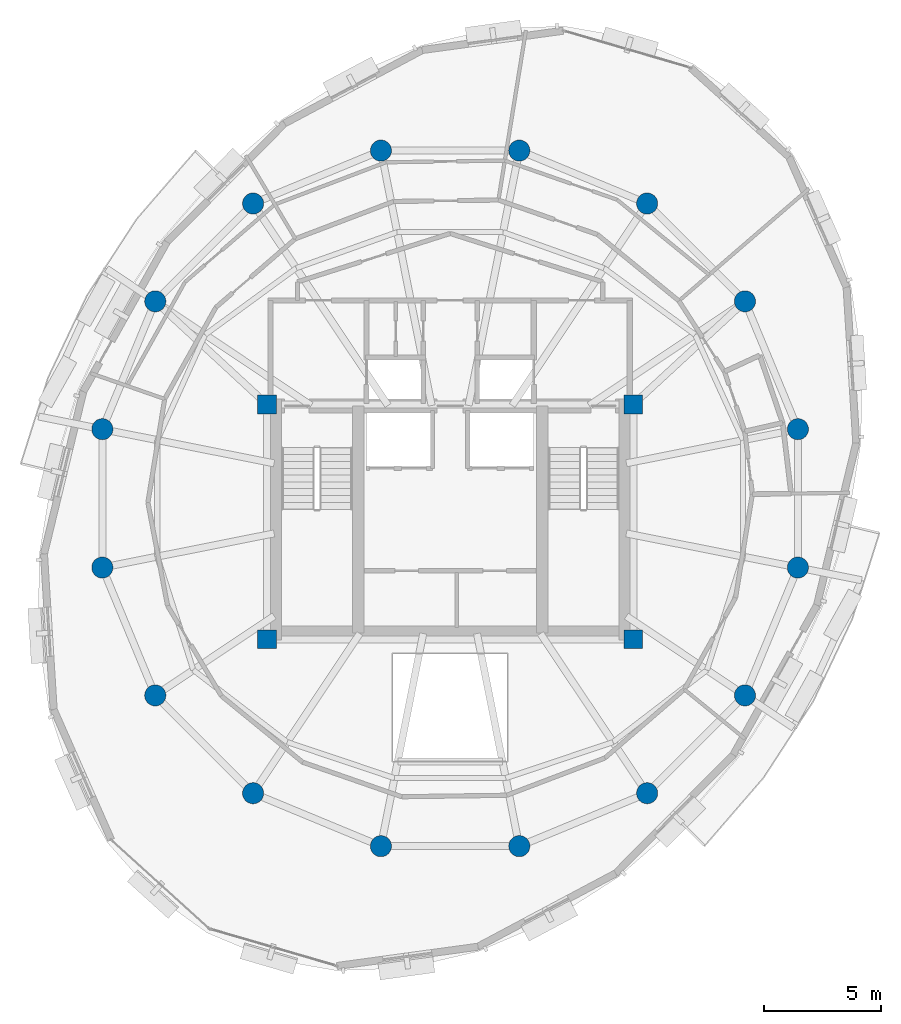
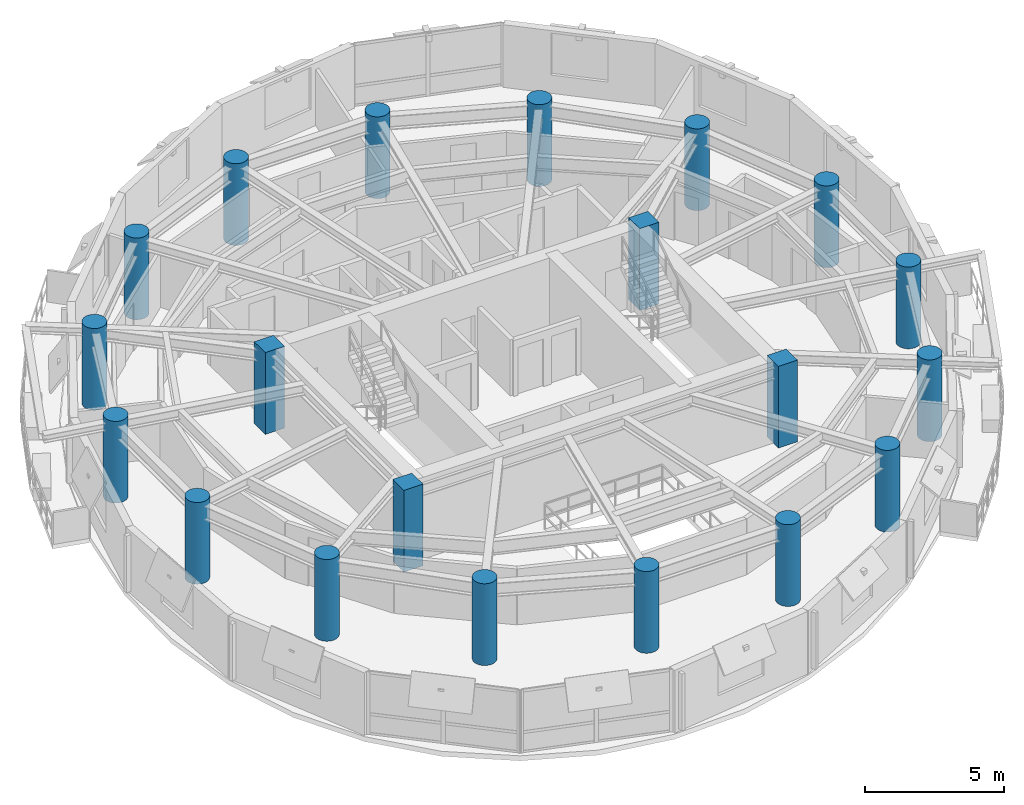
# One storey, part 1 of 11: 20 columns.
"""IFC4 building model written with IfcOpenShell, lengths in metres."""

from ifc_helpers import new_model, si_unit, direction, frame, origin, origin_2d, place, context, subcontext, project, spatial, rectangle, circle, extrude, material, material_profile, profile_set, type_object, element, save


model = new_model("IFC4")

# Units and contexts
model_context = context("Model", 3, precision=1e-05, world=origin(), true_north=direction((0.0, 1.0)))
body_context = subcontext(model_context, "Body", "Model", "MODEL_VIEW")
ifc_project = project(units=[si_unit("LENGTHUNIT", "METRE"), si_unit("AREAUNIT", "SQUARE_METRE"), si_unit("VOLUMEUNIT", "CUBIC_METRE"), si_unit("PLANEANGLEUNIT", "RADIAN"), si_unit("MASSUNIT", "GRAM", prefix="KILO"), si_unit("THERMODYNAMICTEMPERATUREUNIT", "KELVIN"), si_unit("POWERUNIT", "WATT")], contexts=[model_context])

# Site, building, storey
site_placement = place(None, origin())
site = spatial("IfcSite", under=ifc_project, at=site_placement, CompositionType="ELEMENT")
building_placement = place(site_placement, origin())
building = spatial("IfcBuilding", under=site, at=building_placement, Name="Ocrelia Relay Tower", CompositionType="ELEMENT")
storey_placement = place(building_placement, frame((0.0, 0.0, 280.800048828125)))
storey = spatial("IfcBuildingStorey", under=building, at=storey_placement, Name="L70", CompositionType="ELEMENT", Elevation=280.800048828125)

# Columns
ifc_material_1 = material(Name="Concrete C50/60", Category="concrete")
ifc_material_profile_1 = material_profile(ifc_material_1, circle(Radius=0.449951171875, at=origin_2d()), Name="RC-CIR-900")
ifc_profile_set_1 = profile_set([ifc_material_profile_1], Name="Concrete C50/60")
column_type_1 = type_object("IfcColumnType", Name="COL-CT-900", PredefinedType="COLUMN", material=ifc_profile_set_1)
for number, where, z_axis, x_axis, name in (
    (1, (48.809814453125, 28.94580078125, 0.0), (0.0, 0.0, 1.0), (1.0, 0.0, 0.0), "L70 Perimeter Ring Column C01"),
    (2, (46.55517578125, 34.38916015625, 0.0), (0.0, 0.0, 1.0), (1.0, 0.0, 0.0), "L70 Perimeter Ring Column C02"),
    (3, (42.38916015625, 38.55517578125, 0.0), (0.0, 0.0, 1.0), (1.0, 0.0, 0.0), "L70 Perimeter Ring Column C03"),
    (4, (36.94580078125, 40.809814453125, 0.0), (0.0, 0.0, 1.0), (1.0, 0.0, 0.0), "L70 Perimeter Ring Column C04"),
    (5, (31.05419921875, 40.809814453125, 0.0), (0.0, 0.0, 1.0), (1.0, 0.0, 0.0), "L70 Perimeter Ring Column C05"),
    (6, (25.61083984375, 38.55517578125, 0.0), (0.0, 0.0, 1.0), (1.0, 0.0, 0.0), "L70 Perimeter Ring Column C06"),
    (7, (21.44482421875, 34.38916015625, 0.0), (0.0, 0.0, 1.0), (1.0, 0.0, 0.0), "L70 Perimeter Ring Column C07"),
    (8, (19.190185546875, 28.94580078125, 0.0), (0.0, 0.0, 1.0), (1.0, 0.0, 0.0), "L70 Perimeter Ring Column C08"),
    (9, (19.190185546875, 23.05419921875, 0.0), (0.0, 0.0, 1.0), (1.0, 0.0, 0.0), "L70 Perimeter Ring Column C09"),
    (10, (21.44482421875, 17.61083984375, 0.0), (0.0, 0.0, 1.0), (1.0, 0.0, 0.0), "L70 Perimeter Ring Column C10"),
    (11, (25.61083984375, 13.44482421875, 0.0), (0.0, 0.0, 1.0), (1.0, 0.0, 0.0), "L70 Perimeter Ring Column C11"),
    (12, (31.05419921875, 11.190185546875, 0.0), (0.0, 0.0, 1.0), (1.0, 0.0, 0.0), "L70 Perimeter Ring Column C12"),
    (13, (36.94580078125, 11.190185546875, 0.0), (0.0, 0.0, 1.0), (1.0, 0.0, 0.0), "L70 Perimeter Ring Column C13"),
    (14, (42.38916015625, 13.44482421875, 0.0), (0.0, 0.0, 1.0), (1.0, 0.0, 0.0), "L70 Perimeter Ring Column C14"),
    (15, (46.55517578125, 17.61083984375, 0.0), (0.0, 0.0, 1.0), (1.0, 0.0, 0.0), "L70 Perimeter Ring Column C15"),
    (16, (48.809814453125, 23.05419921875, 0.0), (0.0, 0.0, 1.0), (1.0, 0.0, 0.0), "L70 Perimeter Ring Column C16"),
):
    element("IfcColumn", number, at=place(storey_placement, frame(where, z_axis=z_axis, x_axis=x_axis)), inside=storey, type_object=column_type_1, Name=name, PredefinedType="COLUMN", context=body_context, shape_type="SweptSolid", body=[
        extrude(circle(Radius=0.449951171875, at=origin_2d()), origin(), (0.0, 0.0, 1.0), 3.599853515625),
    ])
ifc_material_2 = material(Name="Concrete C60/75", Category="concrete")
ifc_material_profile_2 = material_profile(ifc_material_2, rectangle(XDim=0.800048828125, YDim=0.800048828125, at=origin_2d()), Name="RC-COL-800x800")
ifc_profile_set_2 = profile_set([ifc_material_profile_2], Name="Concrete C60/75")
column_type_2 = type_object("IfcColumnType", Name="COL-PILASTER-800", PredefinedType="PILASTER", material=ifc_profile_set_2)
for number, where, z_axis, x_axis, name in (
    (17, (26.199951171875, 20.0, 0.0), (0.0, 0.0, 1.0), (1.0, 0.0, 0.0), "L70 Core Corner Pilaster SW"),
    (18, (41.800048828125, 20.0, 0.0), (0.0, 0.0, 1.0), (1.0, 0.0, 0.0), "L70 Core Corner Pilaster SE"),
    (19, (26.199951171875, 30.0, 0.0), (0.0, 0.0, 1.0), (1.0, 0.0, 0.0), "L70 Core Corner Pilaster NW"),
    (20, (41.800048828125, 30.0, 0.0), (0.0, 0.0, 1.0), (1.0, 0.0, 0.0), "L70 Core Corner Pilaster NE"),
):
    element("IfcColumn", number, at=place(storey_placement, frame(where, z_axis=z_axis, x_axis=x_axis)), inside=storey, type_object=column_type_2, Name=name, PredefinedType="PILASTER", context=body_context, shape_type="SweptSolid", body=[
        extrude(rectangle(XDim=0.800048828125, YDim=0.800048828125, at=origin_2d()), origin(), (0.0, 0.0, 1.0), 3.599853515625),
    ])

save(model, "model.ifc")
